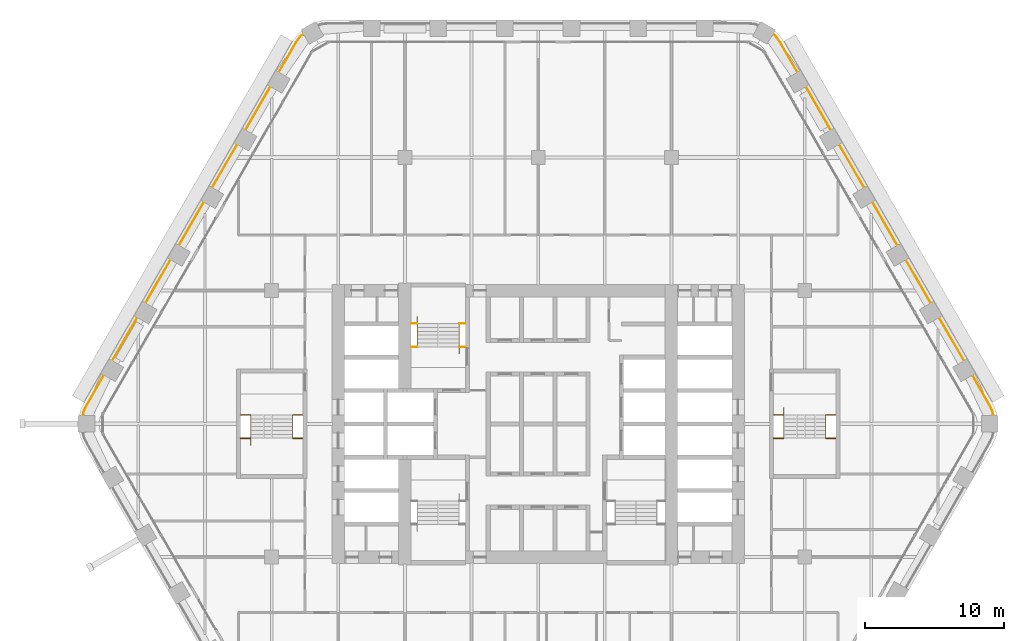
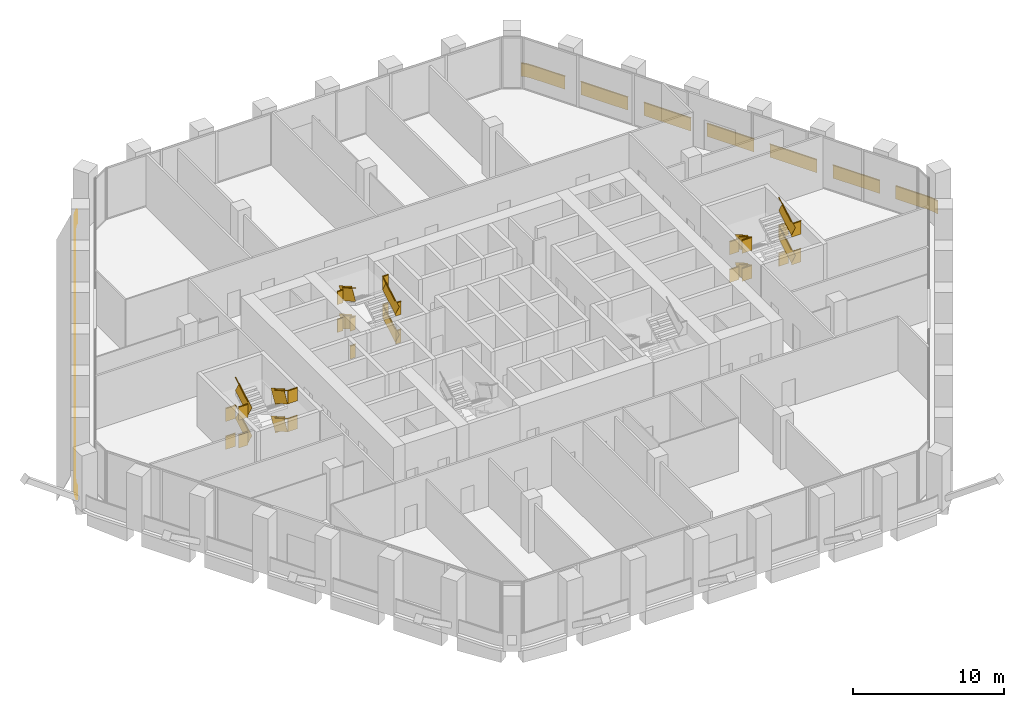
# One storey, part 25 of 26: 8 railings.
"""IFC4 building model written with IfcOpenShell, lengths in metres."""

from ifc_helpers import new_model, si_unit, direction, frame, frame_2d, origin, origin_2d, place, context, subcontext, project, spatial, rectangle, extrude, material, type_object, element, save


model = new_model("IFC4")

# Units and contexts
model_context = context("Model", 3, precision=1e-05, world=origin(), true_north=direction((0.0, 1.0)))
body_context = subcontext(model_context, "Body", "Model", "MODEL_VIEW")
ifc_project = project(units=[si_unit("LENGTHUNIT", "METRE"), si_unit("AREAUNIT", "SQUARE_METRE"), si_unit("VOLUMEUNIT", "CUBIC_METRE"), si_unit("PLANEANGLEUNIT", "RADIAN"), si_unit("MASSUNIT", "GRAM", prefix="KILO")], contexts=[model_context])

# Site, building, storey
site_placement = place(None, origin())
site = spatial("IfcSite", under=ifc_project, at=site_placement, CompositionType="ELEMENT")
building_placement = place(site_placement, origin())
building = spatial("IfcBuilding", under=site, at=building_placement, Name="Kolab Exchange Tower", CompositionType="ELEMENT")
storey_placement = place(building_placement, frame((0.0, 0.0, 104.89990234375)))
storey = spatial("IfcBuildingStorey", under=building, at=storey_placement, Name="L20", CompositionType="ELEMENT", Elevation=104.89990234375)

# Railings
ifc_material_1 = material(Name="Stainless steel 316", Category="steel")
railing_type_1 = type_object("IfcRailingType", Name="GUARD 1100", PredefinedType="GUARDRAIL", material=ifc_material_1)
railing_1_placement = place(storey_placement, frame((-9.14990234375, 5.550048828125, 0.0)))
element("IfcRailing", 1, at=railing_1_placement, inside=storey, type_object=railing_type_1, Name="Guard ST1", PredefinedType="GUARDRAIL", context=body_context, shape_type="SweptSolid", body=[
    extrude(rectangle(XDim=0.05, YDim=0.05, at=origin_2d()), frame((0.0, 0.0, 1.0751953125), z_axis=(1.0, 0.0, 0.0), x_axis=(0.0, 1.0, 0.0)), (0.0, 0.0, 1.0), 0.43994140625),
    extrude(rectangle(XDim=0.012, YDim=1.05009765625, at=frame_2d((0.0, 0.525146484375))), frame((0.0, 0.0, 0.0), z_axis=(1.0, 0.0, 0.0), x_axis=(0.0, 1.0, 0.0)), (0.0, 0.0, 1.0), 0.43994140625),
    extrude(rectangle(XDim=0.05, YDim=0.05, at=origin_2d()), frame((3.4599609375, 0.0, 1.0751953125), z_axis=(1.0, 0.0, 0.0), x_axis=(0.0, 1.0, 0.0)), (0.0, 0.0, 1.0), 0.43994140625),
    extrude(rectangle(XDim=0.012, YDim=1.05009765625, at=frame_2d((0.0, 0.525146484375))), frame((3.4599609375, 0.0, 0.0), z_axis=(1.0, 0.0, 0.0), x_axis=(0.0, 1.0, 0.0)), (0.0, 0.0, 1.0), 0.43994140625),
    extrude(rectangle(XDim=0.05, YDim=0.05, at=origin_2d()), frame((0.0, 1.679931640625, 2.2001953125), z_axis=(1.0, 0.0, 0.0), x_axis=(0.0, 1.0, 0.0)), (0.0, 0.0, 1.0), 0.43994140625),
    extrude(rectangle(XDim=0.012, YDim=1.05009765625, at=frame_2d((0.0, 0.525146484375))), frame((0.0, 1.679931640625, 1.125), z_axis=(1.0, 0.0, 0.0), x_axis=(0.0, 1.0, 0.0)), (0.0, 0.0, 1.0), 0.43994140625),
    extrude(rectangle(XDim=0.05, YDim=0.05, at=origin_2d()), frame((3.4599609375, 1.679931640625, 2.2001953125), z_axis=(1.0, 0.0, 0.0), x_axis=(0.0, 1.0, 0.0)), (0.0, 0.0, 1.0), 0.43994140625),
    extrude(rectangle(XDim=0.012, YDim=1.05009765625, at=frame_2d((0.0, 0.525146484375))), frame((3.4599609375, 1.679931640625, 1.125), z_axis=(1.0, 0.0, 0.0), x_axis=(0.0, 1.0, 0.0)), (0.0, 0.0, 1.0), 0.43994140625),
    extrude(rectangle(XDim=0.05, YDim=0.05, at=origin_2d()), frame((0.0, 0.0, 3.3251953125), z_axis=(1.0, 0.0, 0.0), x_axis=(0.0, 1.0, 0.0)), (0.0, 0.0, 1.0), 0.43994140625),
    extrude(rectangle(XDim=0.012, YDim=1.05009765625, at=frame_2d((0.0, 0.525146484375))), frame((0.0, 0.0, 2.25), z_axis=(1.0, 0.0, 0.0), x_axis=(0.0, 1.0, 0.0)), (0.0, 0.0, 1.0), 0.43994140625),
    extrude(rectangle(XDim=0.05, YDim=0.05, at=origin_2d()), frame((3.4599609375, 0.0, 3.3251953125), z_axis=(1.0, 0.0, 0.0), x_axis=(0.0, 1.0, 0.0)), (0.0, 0.0, 1.0), 0.43994140625),
    extrude(rectangle(XDim=0.012, YDim=1.05009765625, at=frame_2d((0.0, 0.525146484375))), frame((3.4599609375, 0.0, 2.25), z_axis=(1.0, 0.0, 0.0), x_axis=(0.0, 1.0, 0.0)), (0.0, 0.0, 1.0), 0.43994140625),
    extrude(rectangle(XDim=0.05, YDim=0.05, at=origin_2d()), frame((0.0, 1.679931640625, 4.4501953125), z_axis=(1.0, 0.0, 0.0), x_axis=(0.0, 1.0, 0.0)), (0.0, 0.0, 1.0), 0.43994140625),
    extrude(rectangle(XDim=0.012, YDim=1.05009765625, at=frame_2d((0.0, 0.525146484375))), frame((0.0, 1.679931640625, 3.375), z_axis=(1.0, 0.0, 0.0), x_axis=(0.0, 1.0, 0.0)), (0.0, 0.0, 1.0), 0.43994140625),
    extrude(rectangle(XDim=0.05, YDim=0.05, at=origin_2d()), frame((3.4599609375, 1.679931640625, 4.4501953125), z_axis=(1.0, 0.0, 0.0), x_axis=(0.0, 1.0, 0.0)), (0.0, 0.0, 1.0), 0.43994140625),
    extrude(rectangle(XDim=0.012, YDim=1.05009765625, at=frame_2d((0.0, 0.525146484375))), frame((3.4599609375, 1.679931640625, 3.375), z_axis=(1.0, 0.0, 0.0), x_axis=(0.0, 1.0, 0.0)), (0.0, 0.0, 1.0), 0.43994140625),
])
railing_2_placement = place(storey_placement, frame((-5.68994140625, 5.550048828125, 0.160888671875)))
element("IfcRailing", 2, at=railing_2_placement, inside=storey, type_object=railing_type_1, Name="Handrail guard ST1", PredefinedType="GUARDRAIL", context=body_context, shape_type="SweptSolid", body=[
    extrude(rectangle(XDim=0.05, YDim=0.05, at=origin_2d()), frame((0.0, 0.0, 1.0751953125), z_axis=(0.0, 0.867318599139, 0.497753400378), x_axis=(-1.0, 0.0, 0.0)), (0.0, 0.0, 1.0), 1.93701171875),
    extrude(rectangle(XDim=0.012, YDim=1.05009765625, at=frame_2d((0.0, 0.525146484375))), frame((0.0, 0.0, 0.0), z_axis=(0.0, 0.867318599139, 0.497753400378), x_axis=(-1.0, 0.0, 0.0)), (0.0, 0.0, 1.0), 1.93701171875),
    extrude(rectangle(XDim=0.05, YDim=0.05, at=origin_2d()), frame((-3.02001953125, 1.679931640625, 2.2001953125), z_axis=(0.0, -0.867318599139, 0.497753400378), x_axis=(1.0, 0.0, 0.0)), (0.0, 0.0, 1.0), 1.93701171875),
    extrude(rectangle(XDim=0.012, YDim=1.05009765625, at=frame_2d((0.0, 0.525146484375))), frame((-3.02001953125, 1.679931640625, 1.125), z_axis=(0.0, -0.867318599139, 0.497753400378), x_axis=(1.0, 0.0, 0.0)), (0.0, 0.0, 1.0), 1.93701171875),
    extrude(rectangle(XDim=0.05, YDim=0.05, at=origin_2d()), frame((0.0, 0.0, 3.3251953125), z_axis=(0.0, 0.867318599139, 0.497753400378), x_axis=(-1.0, 0.0, 0.0)), (0.0, 0.0, 1.0), 1.93701171875),
    extrude(rectangle(XDim=0.012, YDim=1.05009765625, at=frame_2d((0.0, 0.525146484375))), frame((0.0, 0.0, 2.25), z_axis=(0.0, 0.867318599139, 0.497753400378), x_axis=(-1.0, 0.0, 0.0)), (0.0, 0.0, 1.0), 1.93701171875),
    extrude(rectangle(XDim=0.05, YDim=0.05, at=origin_2d()), frame((-3.02001953125, 1.679931640625, 4.4501953125), z_axis=(0.0, -0.867318599139, 0.497753400378), x_axis=(1.0, 0.0, 0.0)), (0.0, 0.0, 1.0), 1.93701171875),
    extrude(rectangle(XDim=0.012, YDim=1.05009765625, at=frame_2d((0.0, 0.525146484375))), frame((-3.02001953125, 1.679931640625, 3.375), z_axis=(0.0, -0.867318599139, 0.497753400378), x_axis=(1.0, 0.0, 0.0)), (0.0, 0.0, 1.0), 1.93701171875),
])
railing_3_placement = place(storey_placement, frame((16.949951171875, 0.64990234375, 0.0)))
element("IfcRailing", 3, at=railing_3_placement, inside=storey, type_object=railing_type_1, Name="Guard ST4", PredefinedType="GUARDRAIL", context=body_context, shape_type="SweptSolid", body=[
    extrude(rectangle(XDim=0.05, YDim=0.05, at=origin_2d()), frame((0.0, 0.0, 1.0751953125), z_axis=(1.0, 0.0, 0.0), x_axis=(0.0, 1.0, 0.0)), (0.0, 0.0, 1.0), 0.739990234375),
    extrude(rectangle(XDim=0.012, YDim=1.05009765625, at=frame_2d((0.0, 0.525146484375))), frame((0.0, 0.0, 0.0), z_axis=(1.0, 0.0, 0.0), x_axis=(0.0, 1.0, 0.0)), (0.0, 0.0, 1.0), 0.739990234375),
    extrude(rectangle(XDim=0.05, YDim=0.05, at=origin_2d()), frame((3.760009765625, 0.0, 1.0751953125), z_axis=(1.0, 0.0, 0.0), x_axis=(0.0, 1.0, 0.0)), (0.0, 0.0, 1.0), 0.739990234375),
    extrude(rectangle(XDim=0.012, YDim=1.05009765625, at=frame_2d((0.0, 0.525146484375))), frame((3.760009765625, 0.0, 0.0), z_axis=(1.0, 0.0, 0.0), x_axis=(0.0, 1.0, 0.0)), (0.0, 0.0, 1.0), 0.739990234375),
    extrude(rectangle(XDim=0.05, YDim=0.05, at=origin_2d()), frame((0.0, -1.679931640625, 2.2001953125), z_axis=(1.0, 0.0, 0.0), x_axis=(0.0, 1.0, 0.0)), (0.0, 0.0, 1.0), 0.739990234375),
    extrude(rectangle(XDim=0.012, YDim=1.05009765625, at=frame_2d((0.0, 0.525146484375))), frame((0.0, -1.679931640625, 1.125), z_axis=(1.0, 0.0, 0.0), x_axis=(0.0, 1.0, 0.0)), (0.0, 0.0, 1.0), 0.739990234375),
    extrude(rectangle(XDim=0.05, YDim=0.05, at=origin_2d()), frame((3.760009765625, -1.679931640625, 2.2001953125), z_axis=(1.0, 0.0, 0.0), x_axis=(0.0, 1.0, 0.0)), (0.0, 0.0, 1.0), 0.739990234375),
    extrude(rectangle(XDim=0.012, YDim=1.05009765625, at=frame_2d((0.0, 0.525146484375))), frame((3.760009765625, -1.679931640625, 1.125), z_axis=(1.0, 0.0, 0.0), x_axis=(0.0, 1.0, 0.0)), (0.0, 0.0, 1.0), 0.739990234375),
    extrude(rectangle(XDim=0.05, YDim=0.05, at=origin_2d()), frame((0.0, 0.0, 3.3251953125), z_axis=(1.0, 0.0, 0.0), x_axis=(0.0, 1.0, 0.0)), (0.0, 0.0, 1.0), 0.739990234375),
    extrude(rectangle(XDim=0.012, YDim=1.05009765625, at=frame_2d((0.0, 0.525146484375))), frame((0.0, 0.0, 2.25), z_axis=(1.0, 0.0, 0.0), x_axis=(0.0, 1.0, 0.0)), (0.0, 0.0, 1.0), 0.739990234375),
    extrude(rectangle(XDim=0.05, YDim=0.05, at=origin_2d()), frame((3.760009765625, 0.0, 3.3251953125), z_axis=(1.0, 0.0, 0.0), x_axis=(0.0, 1.0, 0.0)), (0.0, 0.0, 1.0), 0.739990234375),
    extrude(rectangle(XDim=0.012, YDim=1.05009765625, at=frame_2d((0.0, 0.525146484375))), frame((3.760009765625, 0.0, 2.25), z_axis=(1.0, 0.0, 0.0), x_axis=(0.0, 1.0, 0.0)), (0.0, 0.0, 1.0), 0.739990234375),
    extrude(rectangle(XDim=0.05, YDim=0.05, at=origin_2d()), frame((0.0, -1.679931640625, 4.4501953125), z_axis=(1.0, 0.0, 0.0), x_axis=(0.0, 1.0, 0.0)), (0.0, 0.0, 1.0), 0.739990234375),
    extrude(rectangle(XDim=0.012, YDim=1.05009765625, at=frame_2d((0.0, 0.525146484375))), frame((0.0, -1.679931640625, 3.375), z_axis=(1.0, 0.0, 0.0), x_axis=(0.0, 1.0, 0.0)), (0.0, 0.0, 1.0), 0.739990234375),
    extrude(rectangle(XDim=0.05, YDim=0.05, at=origin_2d()), frame((3.760009765625, -1.679931640625, 4.4501953125), z_axis=(1.0, 0.0, 0.0), x_axis=(0.0, 1.0, 0.0)), (0.0, 0.0, 1.0), 0.739990234375),
    extrude(rectangle(XDim=0.012, YDim=1.05009765625, at=frame_2d((0.0, 0.525146484375))), frame((3.760009765625, -1.679931640625, 3.375), z_axis=(1.0, 0.0, 0.0), x_axis=(0.0, 1.0, 0.0)), (0.0, 0.0, 1.0), 0.739990234375),
])
railing_4_placement = place(storey_placement, frame((17.68994140625, 0.64990234375, 0.160888671875)))
element("IfcRailing", 4, at=railing_4_placement, inside=storey, type_object=railing_type_1, Name="Handrail guard ST4", PredefinedType="GUARDRAIL", context=body_context, shape_type="SweptSolid", body=[
    extrude(rectangle(XDim=0.05, YDim=0.05, at=origin_2d()), frame((0.0, 0.0, 1.0751953125), z_axis=(0.0, -0.867318599139, 0.497753400378), x_axis=(1.0, 0.0, 0.0)), (0.0, 0.0, 1.0), 1.93701171875),
    extrude(rectangle(XDim=0.012, YDim=1.05009765625, at=frame_2d((0.0, 0.525146484375))), frame((0.0, 0.0, 0.0), z_axis=(0.0, -0.867318599139, 0.497753400378), x_axis=(1.0, 0.0, 0.0)), (0.0, 0.0, 1.0), 1.93701171875),
    extrude(rectangle(XDim=0.05, YDim=0.05, at=origin_2d()), frame((3.02001953125, -1.679931640625, 2.2001953125), z_axis=(0.0, 0.867318599139, 0.497753400378), x_axis=(-1.0, 0.0, 0.0)), (0.0, 0.0, 1.0), 1.93701171875),
    extrude(rectangle(XDim=0.012, YDim=1.05009765625, at=frame_2d((0.0, 0.525146484375))), frame((3.02001953125, -1.679931640625, 1.125), z_axis=(0.0, 0.867318599139, 0.497753400378), x_axis=(-1.0, 0.0, 0.0)), (0.0, 0.0, 1.0), 1.93701171875),
    extrude(rectangle(XDim=0.05, YDim=0.05, at=origin_2d()), frame((0.0, 0.0, 3.3251953125), z_axis=(0.0, -0.867318599139, 0.497753400378), x_axis=(1.0, 0.0, 0.0)), (0.0, 0.0, 1.0), 1.93701171875),
    extrude(rectangle(XDim=0.012, YDim=1.05009765625, at=frame_2d((0.0, 0.525146484375))), frame((0.0, 0.0, 2.25), z_axis=(0.0, -0.867318599139, 0.497753400378), x_axis=(1.0, 0.0, 0.0)), (0.0, 0.0, 1.0), 1.93701171875),
    extrude(rectangle(XDim=0.05, YDim=0.05, at=origin_2d()), frame((3.02001953125, -1.679931640625, 4.4501953125), z_axis=(0.0, 0.867318599139, 0.497753400378), x_axis=(-1.0, 0.0, 0.0)), (0.0, 0.0, 1.0), 1.93701171875),
    extrude(rectangle(XDim=0.012, YDim=1.05009765625, at=frame_2d((0.0, 0.525146484375))), frame((3.02001953125, -1.679931640625, 3.375), z_axis=(0.0, 0.867318599139, 0.497753400378), x_axis=(-1.0, 0.0, 0.0)), (0.0, 0.0, 1.0), 1.93701171875),
])
railing_5_placement = place(storey_placement, frame((-21.449951171875, 0.64990234375, 0.0)))
element("IfcRailing", 5, at=railing_5_placement, inside=storey, type_object=railing_type_1, Name="Guard ST5", PredefinedType="GUARDRAIL", context=body_context, shape_type="SweptSolid", body=[
    extrude(rectangle(XDim=0.05, YDim=0.05, at=origin_2d()), frame((0.0, 0.0, 1.0751953125), z_axis=(1.0, 0.0, 0.0), x_axis=(0.0, 1.0, 0.0)), (0.0, 0.0, 1.0), 0.739990234375),
    extrude(rectangle(XDim=0.012, YDim=1.05009765625, at=frame_2d((0.0, 0.525146484375))), frame((0.0, 0.0, 0.0), z_axis=(1.0, 0.0, 0.0), x_axis=(0.0, 1.0, 0.0)), (0.0, 0.0, 1.0), 0.739990234375),
    extrude(rectangle(XDim=0.05, YDim=0.05, at=origin_2d()), frame((3.760009765625, 0.0, 1.0751953125), z_axis=(1.0, 0.0, 0.0), x_axis=(0.0, 1.0, 0.0)), (0.0, 0.0, 1.0), 0.739990234375),
    extrude(rectangle(XDim=0.012, YDim=1.05009765625, at=frame_2d((0.0, 0.525146484375))), frame((3.760009765625, 0.0, 0.0), z_axis=(1.0, 0.0, 0.0), x_axis=(0.0, 1.0, 0.0)), (0.0, 0.0, 1.0), 0.739990234375),
    extrude(rectangle(XDim=0.05, YDim=0.05, at=origin_2d()), frame((0.0, -1.679931640625, 2.2001953125), z_axis=(1.0, 0.0, 0.0), x_axis=(0.0, 1.0, 0.0)), (0.0, 0.0, 1.0), 0.739990234375),
    extrude(rectangle(XDim=0.012, YDim=1.05009765625, at=frame_2d((0.0, 0.525146484375))), frame((0.0, -1.679931640625, 1.125), z_axis=(1.0, 0.0, 0.0), x_axis=(0.0, 1.0, 0.0)), (0.0, 0.0, 1.0), 0.739990234375),
    extrude(rectangle(XDim=0.05, YDim=0.05, at=origin_2d()), frame((3.760009765625, -1.679931640625, 2.2001953125), z_axis=(1.0, 0.0, 0.0), x_axis=(0.0, 1.0, 0.0)), (0.0, 0.0, 1.0), 0.739990234375),
    extrude(rectangle(XDim=0.012, YDim=1.05009765625, at=frame_2d((0.0, 0.525146484375))), frame((3.760009765625, -1.679931640625, 1.125), z_axis=(1.0, 0.0, 0.0), x_axis=(0.0, 1.0, 0.0)), (0.0, 0.0, 1.0), 0.739990234375),
    extrude(rectangle(XDim=0.05, YDim=0.05, at=origin_2d()), frame((0.0, 0.0, 3.3251953125), z_axis=(1.0, 0.0, 0.0), x_axis=(0.0, 1.0, 0.0)), (0.0, 0.0, 1.0), 0.739990234375),
    extrude(rectangle(XDim=0.012, YDim=1.05009765625, at=frame_2d((0.0, 0.525146484375))), frame((0.0, 0.0, 2.25), z_axis=(1.0, 0.0, 0.0), x_axis=(0.0, 1.0, 0.0)), (0.0, 0.0, 1.0), 0.739990234375),
    extrude(rectangle(XDim=0.05, YDim=0.05, at=origin_2d()), frame((3.760009765625, 0.0, 3.3251953125), z_axis=(1.0, 0.0, 0.0), x_axis=(0.0, 1.0, 0.0)), (0.0, 0.0, 1.0), 0.739990234375),
    extrude(rectangle(XDim=0.012, YDim=1.05009765625, at=frame_2d((0.0, 0.525146484375))), frame((3.760009765625, 0.0, 2.25), z_axis=(1.0, 0.0, 0.0), x_axis=(0.0, 1.0, 0.0)), (0.0, 0.0, 1.0), 0.739990234375),
    extrude(rectangle(XDim=0.05, YDim=0.05, at=origin_2d()), frame((0.0, -1.679931640625, 4.4501953125), z_axis=(1.0, 0.0, 0.0), x_axis=(0.0, 1.0, 0.0)), (0.0, 0.0, 1.0), 0.739990234375),
    extrude(rectangle(XDim=0.012, YDim=1.05009765625, at=frame_2d((0.0, 0.525146484375))), frame((0.0, -1.679931640625, 3.375), z_axis=(1.0, 0.0, 0.0), x_axis=(0.0, 1.0, 0.0)), (0.0, 0.0, 1.0), 0.739990234375),
    extrude(rectangle(XDim=0.05, YDim=0.05, at=origin_2d()), frame((3.760009765625, -1.679931640625, 4.4501953125), z_axis=(1.0, 0.0, 0.0), x_axis=(0.0, 1.0, 0.0)), (0.0, 0.0, 1.0), 0.739990234375),
    extrude(rectangle(XDim=0.012, YDim=1.05009765625, at=frame_2d((0.0, 0.525146484375))), frame((3.760009765625, -1.679931640625, 3.375), z_axis=(1.0, 0.0, 0.0), x_axis=(0.0, 1.0, 0.0)), (0.0, 0.0, 1.0), 0.739990234375),
])
railing_6_placement = place(storey_placement, frame((-17.68994140625, 0.64990234375, 0.160888671875)))
element("IfcRailing", 6, at=railing_6_placement, inside=storey, type_object=railing_type_1, Name="Handrail guard ST5", PredefinedType="GUARDRAIL", context=body_context, shape_type="SweptSolid", body=[
    extrude(rectangle(XDim=0.05, YDim=0.05, at=origin_2d()), frame((0.0, 0.0, 1.0751953125), z_axis=(0.0, -0.867318599139, 0.497753400378), x_axis=(1.0, 0.0, 0.0)), (0.0, 0.0, 1.0), 1.93701171875),
    extrude(rectangle(XDim=0.012, YDim=1.05009765625, at=frame_2d((0.0, 0.525146484375))), frame((0.0, 0.0, 0.0), z_axis=(0.0, -0.867318599139, 0.497753400378), x_axis=(1.0, 0.0, 0.0)), (0.0, 0.0, 1.0), 1.93701171875),
    extrude(rectangle(XDim=0.05, YDim=0.05, at=origin_2d()), frame((-3.02001953125, -1.679931640625, 2.2001953125), z_axis=(0.0, 0.867318599139, 0.497753400378), x_axis=(-1.0, 0.0, 0.0)), (0.0, 0.0, 1.0), 1.93701171875),
    extrude(rectangle(XDim=0.012, YDim=1.05009765625, at=frame_2d((0.0, 0.525146484375))), frame((-3.02001953125, -1.679931640625, 1.125), z_axis=(0.0, 0.867318599139, 0.497753400378), x_axis=(-1.0, 0.0, 0.0)), (0.0, 0.0, 1.0), 1.93701171875),
    extrude(rectangle(XDim=0.05, YDim=0.05, at=origin_2d()), frame((0.0, 0.0, 3.3251953125), z_axis=(0.0, -0.867318599139, 0.497753400378), x_axis=(1.0, 0.0, 0.0)), (0.0, 0.0, 1.0), 1.93701171875),
    extrude(rectangle(XDim=0.012, YDim=1.05009765625, at=frame_2d((0.0, 0.525146484375))), frame((0.0, 0.0, 2.25), z_axis=(0.0, -0.867318599139, 0.497753400378), x_axis=(1.0, 0.0, 0.0)), (0.0, 0.0, 1.0), 1.93701171875),
    extrude(rectangle(XDim=0.05, YDim=0.05, at=origin_2d()), frame((-3.02001953125, -1.679931640625, 4.4501953125), z_axis=(0.0, 0.867318599139, 0.497753400378), x_axis=(-1.0, 0.0, 0.0)), (0.0, 0.0, 1.0), 1.93701171875),
    extrude(rectangle(XDim=0.012, YDim=1.05009765625, at=frame_2d((0.0, 0.525146484375))), frame((-3.02001953125, -1.679931640625, 3.375), z_axis=(0.0, 0.867318599139, 0.497753400378), x_axis=(-1.0, 0.0, 0.0)), (0.0, 0.0, 1.0), 1.93701171875),
])
ifc_material_2 = material(Name="Steel S235", Category="steel")
railing_type_2 = type_object("IfcRailingType", Name="GUARD 1100 GLASS BALUSTRADE AND STEEL TOP RAIL", PredefinedType="GUARDRAIL", material=ifc_material_2)
railing_7_placement = place(storey_placement, frame((32.81298828125, 0.593994140625, 0.0)))
element("IfcRailing", 7, at=railing_7_placement, inside=storey, type_object=railing_type_2, Name="Guard", PredefinedType="GUARDRAIL", context=body_context, shape_type="SweptSolid", body=[
    extrude(rectangle(XDim=0.05, YDim=0.05, at=origin_2d()), frame((0.0, 0.0, 1.0751953125), z_axis=(-0.259144041577, 0.965838685141, 0.0), x_axis=(-0.965838685141, -0.259144041577, 0.0)), (0.0, 0.0, 1.0), 0.35888671875),
    extrude(rectangle(XDim=0.012, YDim=1.05009765625, at=frame_2d((0.0, 0.525146484375))), frame((0.0, 0.0, 0.0), z_axis=(-0.259144041577, 0.965838685141, 0.0), x_axis=(-0.965838685141, -0.259144041577, 0.0)), (0.0, 0.0, 1.0), 0.35888671875),
    extrude(rectangle(XDim=0.05, YDim=0.05, at=origin_2d()), frame((-0.093017578125, 0.3466796875, 1.0751953125), z_axis=(-0.422383329074, 0.906417300872, 0.0), x_axis=(-0.906417300872, -0.422383329074, 0.0)), (0.0, 0.0, 1.0), 0.479248046875),
    extrude(rectangle(XDim=0.012, YDim=1.05009765625, at=frame_2d((0.0, 0.525146484375))), frame((-0.093017578125, 0.3466796875, 0.0), z_axis=(-0.422383329074, 0.906417300872, 0.0), x_axis=(-0.906417300872, -0.422383329074, 0.0)), (0.0, 0.0, 1.0), 0.479248046875),
    extrude(rectangle(XDim=0.05, YDim=0.05, at=origin_2d()), frame((-0.29541015625, 0.781005859375, 1.0751953125), z_axis=(-0.500064973171, 0.865987888257, 0.0), x_axis=(-0.865987888257, -0.500064973171, 0.0)), (0.0, 0.0, 1.0), 2.468017578125),
    extrude(rectangle(XDim=0.012, YDim=1.05009765625, at=frame_2d((0.0, 0.525146484375))), frame((-0.29541015625, 0.781005859375, 0.0), z_axis=(-0.500064973171, 0.865987888257, 0.0), x_axis=(-0.865987888257, -0.500064973171, 0.0)), (0.0, 0.0, 1.0), 2.468017578125),
    extrude(rectangle(XDim=0.05, YDim=0.05, at=origin_2d()), frame((-2.12939453125, 3.95751953125, 1.0751953125), z_axis=(-0.500012057535, 0.866018442252, 0.0), x_axis=(-0.866018442252, -0.500012057535, 0.0)), (0.0, 0.0, 1.0), 3.60009765625),
    extrude(rectangle(XDim=0.012, YDim=1.05009765625, at=frame_2d((0.0, 0.525146484375))), frame((-2.12939453125, 3.95751953125, 0.0), z_axis=(-0.500012057535, 0.866018442252, 0.0), x_axis=(-0.866018442252, -0.500012057535, 0.0)), (0.0, 0.0, 1.0), 3.60009765625),
    extrude(rectangle(XDim=0.05, YDim=0.05, at=origin_2d()), frame((-4.529541015625, 8.114501953125, 1.0751953125), z_axis=(-0.500012057535, 0.866018442252, 0.0), x_axis=(-0.866018442252, -0.500012057535, 0.0)), (0.0, 0.0, 1.0), 3.60009765625),
    extrude(rectangle(XDim=0.012, YDim=1.05009765625, at=frame_2d((0.0, 0.525146484375))), frame((-4.529541015625, 8.114501953125, 0.0), z_axis=(-0.500012057535, 0.866018442252, 0.0), x_axis=(-0.866018442252, -0.500012057535, 0.0)), (0.0, 0.0, 1.0), 3.60009765625),
    extrude(rectangle(XDim=0.05, YDim=0.05, at=origin_2d()), frame((-6.929443359375, 12.271484375, 1.0751953125), z_axis=(-0.500012057535, 0.866018442252, 0.0), x_axis=(-0.866018442252, -0.500012057535, 0.0)), (0.0, 0.0, 1.0), 3.60009765625),
    extrude(rectangle(XDim=0.012, YDim=1.05009765625, at=frame_2d((0.0, 0.525146484375))), frame((-6.929443359375, 12.271484375, 0.0), z_axis=(-0.500012057535, 0.866018442252, 0.0), x_axis=(-0.866018442252, -0.500012057535, 0.0)), (0.0, 0.0, 1.0), 3.60009765625),
    extrude(rectangle(XDim=0.05, YDim=0.05, at=origin_2d()), frame((-9.32958984375, 16.42822265625, 1.0751953125), z_axis=(-0.499961193289, 0.866047807691, 0.0), x_axis=(-0.866047807691, -0.499961193289, 0.0)), (0.0, 0.0, 1.0), 3.599853515625),
    extrude(rectangle(XDim=0.012, YDim=1.05009765625, at=frame_2d((0.0, 0.525146484375))), frame((-9.32958984375, 16.42822265625, 0.0), z_axis=(-0.499961193289, 0.866047807691, 0.0), x_axis=(-0.866047807691, -0.499961193289, 0.0)), (0.0, 0.0, 1.0), 3.599853515625),
    extrude(rectangle(XDim=0.05, YDim=0.05, at=origin_2d()), frame((-11.7294921875, 20.585205078125, 1.0751953125), z_axis=(-0.500012057535, 0.866018442252, 0.0), x_axis=(-0.866018442252, -0.500012057535, 0.0)), (0.0, 0.0, 1.0), 3.60009765625),
    extrude(rectangle(XDim=0.012, YDim=1.05009765625, at=frame_2d((0.0, 0.525146484375))), frame((-11.7294921875, 20.585205078125, 0.0), z_axis=(-0.500012057535, 0.866018442252, 0.0), x_axis=(-0.866018442252, -0.500012057535, 0.0)), (0.0, 0.0, 1.0), 3.60009765625),
    extrude(rectangle(XDim=0.05, YDim=0.05, at=origin_2d()), frame((-14.12939453125, 24.7421875, 1.0751953125), z_axis=(-0.500064973171, 0.865987888257, 0.0), x_axis=(-0.865987888257, -0.500064973171, 0.0)), (0.0, 0.0, 1.0), 2.468017578125),
    extrude(rectangle(XDim=0.012, YDim=1.05009765625, at=frame_2d((0.0, 0.525146484375))), frame((-14.12939453125, 24.7421875, 0.0), z_axis=(-0.500064973171, 0.865987888257, 0.0), x_axis=(-0.865987888257, -0.500064973171, 0.0)), (0.0, 0.0, 1.0), 2.468017578125),
    extrude(rectangle(XDim=0.05, YDim=0.05, at=origin_2d()), frame((-15.363525390625, 26.87939453125, 1.0751953125), z_axis=(-0.573359816273, 0.819303680624, 0.0), x_axis=(-0.819303680624, -0.573359816273, 0.0)), (0.0, 0.0, 1.0), 0.4794921875),
    extrude(rectangle(XDim=0.012, YDim=1.05009765625, at=frame_2d((0.0, 0.525146484375))), frame((-15.363525390625, 26.87939453125, 0.0), z_axis=(-0.573359816273, 0.819303680624, 0.0), x_axis=(-0.819303680624, -0.573359816273, 0.0)), (0.0, 0.0, 1.0), 0.4794921875),
    extrude(rectangle(XDim=0.05, YDim=0.05, at=origin_2d()), frame((-15.638427734375, 27.272216796875, 1.0751953125), z_axis=(-0.707106781187, 0.707106781187, 0.0), x_axis=(-0.707106781187, -0.707106781187, 0.0)), (0.0, 0.0, 1.0), 0.358642578125),
    extrude(rectangle(XDim=0.012, YDim=1.05009765625, at=frame_2d((0.0, 0.525146484375))), frame((-15.638427734375, 27.272216796875, 0.0), z_axis=(-0.707106781187, 0.707106781187, 0.0), x_axis=(-0.707106781187, -0.707106781187, 0.0)), (0.0, 0.0, 1.0), 0.358642578125),
])
railing_8_placement = place(storey_placement, frame((-16.9208984375, 28.119873046875, 0.0)))
element("IfcRailing", 8, at=railing_8_placement, inside=storey, type_object=railing_type_2, Name="Guard", PredefinedType="GUARDRAIL", context=body_context, shape_type="SweptSolid", body=[
    extrude(rectangle(XDim=0.05, YDim=0.05, at=origin_2d()), frame((0.0, 0.0, 1.0751953125), z_axis=(-0.707106781187, -0.707106781187, 0.0), x_axis=(0.707106781187, -0.707106781187, 0.0)), (0.0, 0.0, 1.0), 0.358642578125),
    extrude(rectangle(XDim=0.012, YDim=1.05009765625, at=frame_2d((0.0, 0.525146484375))), frame((0.0, 0.0, 0.0), z_axis=(-0.707106781187, -0.707106781187, 0.0), x_axis=(0.707106781187, -0.707106781187, 0.0)), (0.0, 0.0, 1.0), 0.358642578125),
    extrude(rectangle(XDim=0.05, YDim=0.05, at=origin_2d()), frame((-0.253662109375, -0.253662109375, 1.0751953125), z_axis=(-0.573359816273, -0.819303680624, 0.0), x_axis=(0.819303680624, -0.573359816273, 0.0)), (0.0, 0.0, 1.0), 0.4794921875),
    extrude(rectangle(XDim=0.012, YDim=1.05009765625, at=frame_2d((0.0, 0.525146484375))), frame((-0.253662109375, -0.253662109375, 0.0), z_axis=(-0.573359816273, -0.819303680624, 0.0), x_axis=(0.819303680624, -0.573359816273, 0.0)), (0.0, 0.0, 1.0), 0.4794921875),
    extrude(rectangle(XDim=0.05, YDim=0.05, at=origin_2d()), frame((-0.528564453125, -0.646484375, 1.0751953125), z_axis=(-0.500064973171, -0.865987888257, 0.0), x_axis=(0.865987888257, -0.500064973171, 0.0)), (0.0, 0.0, 1.0), 2.468017578125),
    extrude(rectangle(XDim=0.012, YDim=1.05009765625, at=frame_2d((0.0, 0.525146484375))), frame((-0.528564453125, -0.646484375, 0.0), z_axis=(-0.500064973171, -0.865987888257, 0.0), x_axis=(0.865987888257, -0.500064973171, 0.0)), (0.0, 0.0, 1.0), 2.468017578125),
    extrude(rectangle(XDim=0.05, YDim=0.05, at=origin_2d()), frame((-2.362548828125, -3.822998046875, 1.0751953125), z_axis=(-0.500012057535, -0.866018442252, 0.0), x_axis=(0.866018442252, -0.500012057535, 0.0)), (0.0, 0.0, 1.0), 3.60009765625),
    extrude(rectangle(XDim=0.012, YDim=1.05009765625, at=frame_2d((0.0, 0.525146484375))), frame((-2.362548828125, -3.822998046875, 0.0), z_axis=(-0.500012057535, -0.866018442252, 0.0), x_axis=(0.866018442252, -0.500012057535, 0.0)), (0.0, 0.0, 1.0), 3.60009765625),
    extrude(rectangle(XDim=0.05, YDim=0.05, at=origin_2d()), frame((-4.7626953125, -7.97998046875, 1.0751953125), z_axis=(-0.499961193289, -0.866047807691, 0.0), x_axis=(0.866047807691, -0.499961193289, 0.0)), (0.0, 0.0, 1.0), 3.599853515625),
    extrude(rectangle(XDim=0.012, YDim=1.05009765625, at=frame_2d((0.0, 0.525146484375))), frame((-4.7626953125, -7.97998046875, 0.0), z_axis=(-0.499961193289, -0.866047807691, 0.0), x_axis=(0.866047807691, -0.499961193289, 0.0)), (0.0, 0.0, 1.0), 3.599853515625),
    extrude(rectangle(XDim=0.05, YDim=0.05, at=origin_2d()), frame((-7.16259765625, -12.13671875, 1.0751953125), z_axis=(-0.500012057535, -0.866018442252, 0.0), x_axis=(0.866018442252, -0.500012057535, 0.0)), (0.0, 0.0, 1.0), 3.60009765625),
    extrude(rectangle(XDim=0.012, YDim=1.05009765625, at=frame_2d((0.0, 0.525146484375))), frame((-7.16259765625, -12.13671875, 0.0), z_axis=(-0.500012057535, -0.866018442252, 0.0), x_axis=(0.866018442252, -0.500012057535, 0.0)), (0.0, 0.0, 1.0), 3.60009765625),
    extrude(rectangle(XDim=0.05, YDim=0.05, at=origin_2d()), frame((-9.5625, -16.293701171875, 1.0751953125), z_axis=(-0.500012057535, -0.866018442252, 0.0), x_axis=(0.866018442252, -0.500012057535, 0.0)), (0.0, 0.0, 1.0), 3.60009765625),
    extrude(rectangle(XDim=0.012, YDim=1.05009765625, at=frame_2d((0.0, 0.525146484375))), frame((-9.5625, -16.293701171875, 0.0), z_axis=(-0.500012057535, -0.866018442252, 0.0), x_axis=(0.866018442252, -0.500012057535, 0.0)), (0.0, 0.0, 1.0), 3.60009765625),
    extrude(rectangle(XDim=0.05, YDim=0.05, at=origin_2d()), frame((-11.962646484375, -20.45068359375, 1.0751953125), z_axis=(-0.500012057535, -0.866018442252, 0.0), x_axis=(0.866018442252, -0.500012057535, 0.0)), (0.0, 0.0, 1.0), 3.60009765625),
    extrude(rectangle(XDim=0.012, YDim=1.05009765625, at=frame_2d((0.0, 0.525146484375))), frame((-11.962646484375, -20.45068359375, 0.0), z_axis=(-0.500012057535, -0.866018442252, 0.0), x_axis=(0.866018442252, -0.500012057535, 0.0)), (0.0, 0.0, 1.0), 3.60009765625),
    extrude(rectangle(XDim=0.05, YDim=0.05, at=origin_2d()), frame((-14.362548828125, -24.607666015625, 1.0751953125), z_axis=(-0.500064973171, -0.865987888257, 0.0), x_axis=(0.865987888257, -0.500064973171, 0.0)), (0.0, 0.0, 1.0), 2.468017578125),
    extrude(rectangle(XDim=0.012, YDim=1.05009765625, at=frame_2d((0.0, 0.525146484375))), frame((-14.362548828125, -24.607666015625, 0.0), z_axis=(-0.500064973171, -0.865987888257, 0.0), x_axis=(0.865987888257, -0.500064973171, 0.0)), (0.0, 0.0, 1.0), 2.468017578125),
    extrude(rectangle(XDim=0.05, YDim=0.05, at=origin_2d()), frame((-15.5966796875, -26.744873046875, 1.0751953125), z_axis=(-0.422383329074, -0.906417300872, 0.0), x_axis=(0.906417300872, -0.422383329074, 0.0)), (0.0, 0.0, 1.0), 0.479248046875),
    extrude(rectangle(XDim=0.012, YDim=1.05009765625, at=frame_2d((0.0, 0.525146484375))), frame((-15.5966796875, -26.744873046875, 0.0), z_axis=(-0.422383329074, -0.906417300872, 0.0), x_axis=(0.906417300872, -0.422383329074, 0.0)), (0.0, 0.0, 1.0), 0.479248046875),
    extrude(rectangle(XDim=0.05, YDim=0.05, at=origin_2d()), frame((-15.799072265625, -27.17919921875, 1.0751953125), z_axis=(-0.259144041577, -0.965838685141, 0.0), x_axis=(0.965838685141, -0.259144041577, 0.0)), (0.0, 0.0, 1.0), 0.35888671875),
    extrude(rectangle(XDim=0.012, YDim=1.05009765625, at=frame_2d((0.0, 0.525146484375))), frame((-15.799072265625, -27.17919921875, 0.0), z_axis=(-0.259144041577, -0.965838685141, 0.0), x_axis=(0.965838685141, -0.259144041577, 0.0)), (0.0, 0.0, 1.0), 0.35888671875),
])

save(model, "model.ifc")
